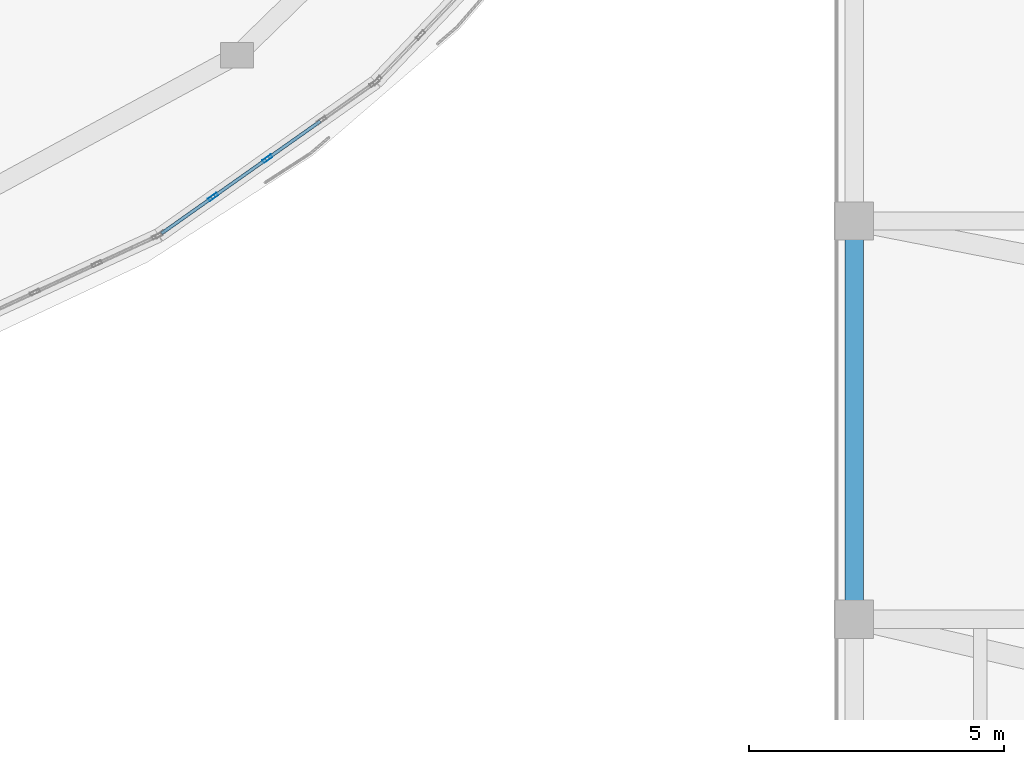
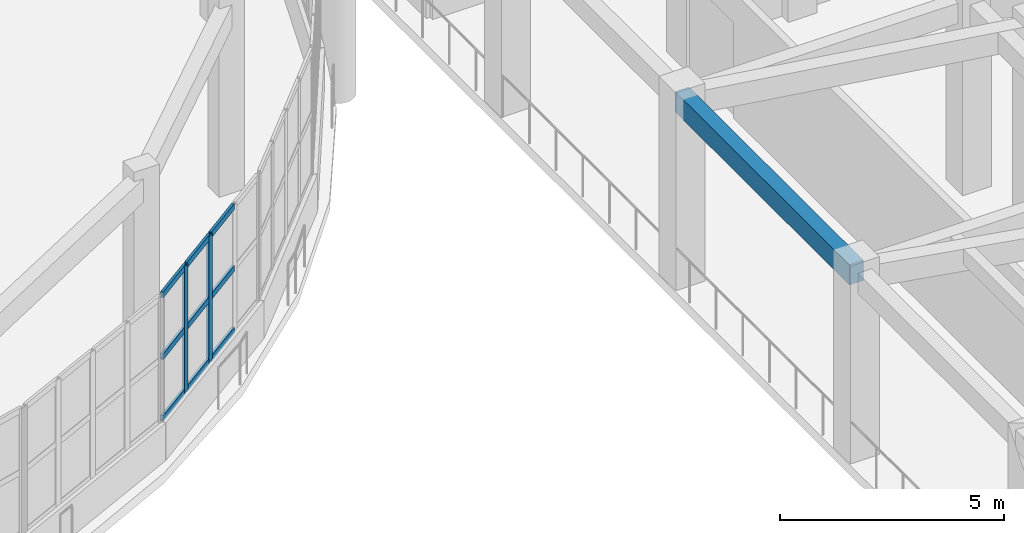
# One storey, part 50 of 96: 11 members, 1 beam, 1 element without a shape of its own.
"""IFC4 building model written with IfcOpenShell, lengths in metres."""

import ifcopenshell
import ifcopenshell.guid

model = None  # the IFC model being written
_history = None  # IfcOwnerHistory: only IFC2X3 demands one
_inside = {}  # id of a spatial element -> (the spatial element, [elements in it])
_under = {}  # id of a project, library or spatial element -> (it, [spatial elements below it])
_declared = {}  # id of a project -> (the project, [libraries it declares])
_typed = {}  # id of a type object -> (the type object, [elements of that type])
_made_of = {}  # id of a material, layer set ... -> (it, [elements and type objects made of it])


def new_model(schema):
    """Start an empty IFC model of exactly this schema.

    Asked for "IFC4X3", IfcOpenShell would pick the latest addendum, in which some entities
    have other attributes; the version numbers below select the first issue.
    IFC2X3 requires an IfcOwnerHistory on every rooted entity: one is made here for all.
    """
    global model, _history
    if schema == "IFC4X3":
        model = ifcopenshell.file(schema_version=(4, 3, 0, 0))
    else:
        model = ifcopenshell.file(schema=schema)
    _inside.clear()
    _under.clear()
    _declared.clear()
    _typed.clear()
    _made_of.clear()
    _history = None
    if model.schema == "IFC2X3":
        org = make("IfcOrganization", Name="unknown")
        user = make(
            "IfcPersonAndOrganization",
            ThePerson=make("IfcPerson", FamilyName="unknown"),
            TheOrganization=org,
        )
        app = make(
            "IfcApplication",
            ApplicationDeveloper=org,
            Version="unknown",
            ApplicationFullName="unknown",
            ApplicationIdentifier="unknown",
        )
        _history = make(
            "IfcOwnerHistory",
            OwningUser=user,
            OwningApplication=app,
            ChangeAction="ADDED",
            CreationDate=0,
        )
    return model


def make(cls, **values):
    """One entity of the class cls with the attributes given. An attribute that is None is left unset."""
    return model.create_entity(
        cls, **{name: value for name, value in values.items() if value is not None}
    )


def rooted(cls, **values):
    """An entity with a GlobalId (a new one), such as an element, a storey or a relation."""
    return make(cls, GlobalId=ifcopenshell.guid.new(), OwnerHistory=_history, **values)


def si_unit(unit_type, name, prefix=None):
    """IfcSIUnit, for example si_unit("LENGTHUNIT", "METRE", prefix="MILLI")."""
    return make("IfcSIUnit", UnitType=unit_type, Prefix=prefix, Name=name)


def assignment(units):
    """IfcUnitAssignment: the units of a project."""
    return None if units is None else make("IfcUnitAssignment", Units=units)


def point(xyz):
    """IfcCartesianPoint."""
    return None if xyz is None else make("IfcCartesianPoint", Coordinates=xyz)


def direction(xyz):
    """IfcDirection."""
    return None if xyz is None else make("IfcDirection", DirectionRatios=xyz)


def frame(location, z_axis=None, x_axis=None):
    """IfcAxis2Placement3D, a coordinate frame: its origin and axes. An axis left out is left unset."""
    return make(
        "IfcAxis2Placement3D",
        Location=point(location),
        Axis=direction(z_axis),
        RefDirection=direction(x_axis),
    )


def frame_2d(location, x_axis=None):
    """IfcAxis2Placement2D, a coordinate frame in the plane: its origin and x axis."""
    return make(
        "IfcAxis2Placement2D", Location=point(location), RefDirection=direction(x_axis)
    )


def origin():
    """The frame at (0, 0, 0) with its axes left unset."""
    return frame((0.0, 0.0, 0.0))


def origin_2d():
    """The frame at (0, 0) in the plane with its x axis left unset."""
    return frame_2d((0.0, 0.0))


def place(relative_to, where):
    """IfcLocalPlacement: puts the frame where relative to a parent placement (None: the world)."""
    return make(
        "IfcLocalPlacement", PlacementRelTo=relative_to, RelativePlacement=where
    )


def context(
    kind, dimensions, precision=None, world=None, true_north=None, identifier=None
):
    """IfcGeometricRepresentationContext, for example the 3D "Model" context."""
    return make(
        "IfcGeometricRepresentationContext",
        ContextIdentifier=identifier,
        ContextType=kind,
        CoordinateSpaceDimension=dimensions,
        Precision=precision,
        WorldCoordinateSystem=world,
        TrueNorth=true_north,
    )


def subcontext(parent, identifier, kind, view, scale=None):
    """IfcGeometricRepresentationSubContext, for example "Body" below "Model"."""
    return make(
        "IfcGeometricRepresentationSubContext",
        ContextIdentifier=identifier,
        ContextType=kind,
        ParentContext=parent,
        TargetScale=scale,
        TargetView=view,
    )


def project(units=None, contexts=None):
    """IfcProject with its units and contexts."""
    return rooted(
        "IfcProject",
        Name="project",
        RepresentationContexts=contexts,
        UnitsInContext=assignment(units),
    )


def spatial(cls, under=None, at=None, **own):
    """A site, building, storey or space (cls), placed at a placement, below another one or the project."""
    s = rooted(cls, ObjectPlacement=at, **own)
    if under is not None:
        _under.setdefault(under.id(), (under, []))[1].append(s)
    return s


def profile(cls, at=None, kind="AREA", **sizes):
    """A parametric profile (cls). Its sizes go by their IFC names, for example OverallWidth=200.0."""
    return make(cls, ProfileType=kind, Position=at, **sizes)


def rectangle(**sizes):
    """IfcRectangleProfileDef."""
    return profile("IfcRectangleProfileDef", **sizes)


def hollow_rectangle(**sizes):
    """IfcRectangleHollowProfileDef."""
    return profile("IfcRectangleHollowProfileDef", **sizes)


def extrude(swept, where, along, depth):
    """IfcExtrudedAreaSolid: the profile swept, set in the frame where, extruded along a direction by depth."""
    return make(
        "IfcExtrudedAreaSolid",
        SweptArea=swept,
        Position=where,
        ExtrudedDirection=direction(along),
        Depth=depth,
    )


def shape(context_of_items, identifier, shape_type, items):
    """IfcShapeRepresentation: the items that make up one representation, for example the "Body"."""
    return make(
        "IfcShapeRepresentation",
        ContextOfItems=context_of_items,
        RepresentationIdentifier=identifier,
        RepresentationType=shape_type,
        Items=items,
    )


def material(Name=None, Category=None):
    """IfcMaterial."""
    return make("IfcMaterial", Name=Name, Category=Category)


def layer(
    of_material, thickness, ventilated=None, Name=None, Category=None, Priority=None
):
    """IfcMaterialLayer: one layer of a wall or slab, of a material (None: an air gap)."""
    return make(
        "IfcMaterialLayer",
        Material=of_material,
        LayerThickness=thickness,
        IsVentilated=ventilated,
        Name=Name,
        Category=Category,
        Priority=Priority,
    )


def layer_set(layers, Name=None):
    """IfcMaterialLayerSet."""
    return make("IfcMaterialLayerSet", MaterialLayers=layers, LayerSetName=Name)


def material_profile(
    of_material, cross_section, Name=None, Category=None, Priority=None
):
    """IfcMaterialProfile: a cross section and its material."""
    return make(
        "IfcMaterialProfile",
        Name=Name,
        Material=of_material,
        Profile=cross_section,
        Priority=Priority,
        Category=Category,
    )


def profile_set(profiles, Name=None, composite=None):
    """IfcMaterialProfileSet."""
    return make(
        "IfcMaterialProfileSet",
        Name=Name,
        MaterialProfiles=profiles,
        CompositeProfile=composite,
    )


def made_of(thing, what):
    """Note that an element or type object is made of a material, layer set ...; save() writes the relation."""
    if what is not None:
        _made_of.setdefault(what.id(), (what, []))[1].append(thing)
    return thing


def type_object(cls, material=None, **own):
    """A type object (cls), such as IfcWallType, which elements share."""
    return made_of(rooted(cls, **own), material)


def element(
    cls,
    number,
    at=None,
    inside=None,
    cuts=None,
    type_object=None,
    material=None,
    context=None,
    identifier="Body",
    shape_type=None,
    held_by="IfcProductDefinitionShape",
    body=None,
    shapes=None,
    **own,
):
    """One element of the class cls, such as IfcWall. Its Tag is "e" and its number.

    at: its placement. inside: the storey or other place that contains it. cuts: it is an
    opening in that element (IfcRelVoidsElement). A single representation is given by context,
    identifier, shape_type and body (its items); several are given by shapes. held_by: the class
    of the entity that holds the representations. save() writes the other relations.
    """
    e = rooted(cls, Tag="e%d" % number, ObjectPlacement=at, **own)
    if body is not None:
        shapes = [shape(context, identifier, shape_type, body)]
    if shapes is not None:
        e.Representation = make(held_by, Representations=shapes)
    if inside is not None:
        _inside.setdefault(inside.id(), (inside, []))[1].append(e)
    if cuts is not None:
        rooted(
            "IfcRelVoidsElement", RelatingBuildingElement=cuts, RelatedOpeningElement=e
        )
    if type_object is not None:
        _typed.setdefault(type_object.id(), (type_object, []))[1].append(e)
    return made_of(e, material)


def aggregate(whole, parts):
    """IfcRelAggregates: a whole, such as a stair, and the parts it consists of."""
    return rooted("IfcRelAggregates", RelatingObject=whole, RelatedObjects=parts)


def save(model, path):
    """Write the relations noted so far, then the file.

    IfcRelAggregates (storeys below a building ...), IfcRelContainedInSpatialStructure (elements
    in a storey), IfcRelDefinesByType, IfcRelAssociatesMaterial and IfcRelDeclares: one each for
    every whole, place, type object, material and project.
    """
    for whole, parts in _under.values():
        aggregate(whole, parts)
    for where, things in _inside.values():
        rooted(
            "IfcRelContainedInSpatialStructure",
            RelatedElements=things,
            RelatingStructure=where,
        )
    for kind, things in _typed.values():
        rooted("IfcRelDefinesByType", RelatedObjects=things, RelatingType=kind)
    for what, things in _made_of.values():
        rooted("IfcRelAssociatesMaterial", RelatedObjects=things, RelatingMaterial=what)
    for by, libraries in _declared.values():
        rooted("IfcRelDeclares", RelatingContext=by, RelatedDefinitions=libraries)
    model.write(path)


model = new_model("IFC4")

# Units and contexts
model_context = context("Model", 3, precision=1e-05, world=origin(), true_north=direction((0.0, 1.0)))
body_context = subcontext(model_context, "Body", "Model", "MODEL_VIEW")
ifc_project = project(units=[si_unit("LENGTHUNIT", "METRE"), si_unit("AREAUNIT", "SQUARE_METRE"), si_unit("VOLUMEUNIT", "CUBIC_METRE"), si_unit("PLANEANGLEUNIT", "RADIAN"), si_unit("MASSUNIT", "GRAM", prefix="KILO")], contexts=[model_context])

# Site, building, storey
site_placement = place(None, origin())
site = spatial("IfcSite", under=ifc_project, at=site_placement, CompositionType="ELEMENT")
building_placement = place(site_placement, origin())
building = spatial("IfcBuilding", under=site, at=building_placement, Name="Pelvatis Terrace Science Centre", CompositionType="ELEMENT")
storey_placement = place(building_placement, origin())
storey = spatial("IfcBuildingStorey", under=building, at=storey_placement, Name="L00", CompositionType="ELEMENT", Elevation=0.0)

# Beam
ifc_material_1 = material(Name="Concrete C35/45", Category="concrete")
ifc_material_profile_1 = material_profile(ifc_material_1, rectangle(XDim=0.360107421875, YDim=0.550048828125, at=origin_2d()), Name="RC-BM 360x550")
ifc_profile_set_1 = profile_set([ifc_material_profile_1], Name="Concrete C35/45")
beam_type = type_object("IfcBeamType", Name="BM-RC-360x550", PredefinedType="BEAM", material=ifc_profile_set_1)
beam_placement = place(storey_placement, frame((140.800048828125, 54.60009765625, 4.864990234375), z_axis=(0.0, 1.0, 0.0), x_axis=(-1.0, 0.0, 0.0)))
element("IfcBeam", 1, at=beam_placement, inside=storey, type_object=beam_type, Name="Beam BM-L00-2480", PredefinedType="BEAM", context=body_context, shape_type="SweptSolid", body=[
    extrude(rectangle(XDim=0.360107421875, YDim=0.550048828125, at=origin_2d()), origin(), (0.0, 0.0, 1.0), 7.7998046875),
])

# Curtain wall, members
ifc_material_2 = material(Name="Bronze-anodised aluminium and laminated glass", Category="aluminium")
ifc_layer = layer(ifc_material_2, 0.199951171875)
ifc_layer_set = layer_set([ifc_layer], Name="Bronze-anodised aluminium and laminated glass")
curtain_wall_type = type_object("IfcCurtainWallType", Name="CW-RIBBON-B", PredefinedType="NOTDEFINED", material=ifc_layer_set)
curtain_wall_placement = place(storey_placement, origin())
curtain_wall = element("IfcCurtainWall", 2, at=curtain_wall_placement, inside=storey, type_object=curtain_wall_type, Name="Ribbon curtain wall CW-122 (L00)", PredefinedType="NOTDEFINED")
ifc_material_3 = material(Name="Bronze-anodised aluminium 6063-T6", Category="aluminium")
ifc_material_profile_2 = material_profile(ifc_material_3, hollow_rectangle(XDim=0.06494140625, YDim=0.199951171875, WallThickness=0.00439453125, at=origin_2d()), Name="ALU-MUL 65x200")
ifc_profile_set_2 = profile_set([ifc_material_profile_2], Name="Bronze-anodised aluminium 6063-T6")
member_type_1 = type_object("IfcMemberType", Name="CWM-65x200", PredefinedType="MULLION", material=ifc_profile_set_2)
member_1_placement = place(storey_placement, frame((128.246337890625, 62.870849609375, 1.02001953125), z_axis=(0.0, 0.0, 1.0), x_axis=(-0.577064835369, 0.816698338299, 0.0)))
member_1 = element("IfcMember", 3, at=member_1_placement, type_object=member_type_1, Name="CW-122 mullion 2", PredefinedType="MULLION", context=body_context, shape_type="SweptSolid", body=[
    extrude(hollow_rectangle(XDim=0.06494140625, YDim=0.199951171875, WallThickness=0.00439453125, at=origin_2d()), origin(), (0.0, 0.0, 1.0), 3.43994140625),
])
member_2_placement = place(storey_placement, frame((129.30908203125, 63.62158203125, 1.02001953125), z_axis=(0.0, 0.0, 1.0), x_axis=(-0.577064835369, 0.816698338299, 0.0)))
member_2 = element("IfcMember", 4, at=member_2_placement, type_object=member_type_1, Name="CW-122 mullion 3", PredefinedType="MULLION", context=body_context, shape_type="SweptSolid", body=[
    extrude(hollow_rectangle(XDim=0.06494140625, YDim=0.199951171875, WallThickness=0.00439453125, at=origin_2d()), origin(), (0.0, 0.0, 1.0), 3.43994140625),
])
ifc_material_4 = material(Name="Bronze-anodised aluminium 6063-T6", Category="aluminium")
ifc_material_profile_3 = material_profile(ifc_material_4, hollow_rectangle(XDim=0.06494140625, YDim=0.159912109375, WallThickness=0.00390625, at=origin_2d()), Name="ALU-TRN 65x160")
ifc_profile_set_3 = profile_set([ifc_material_profile_3], Name="Bronze-anodised aluminium 6063-T6")
member_type_2 = type_object("IfcMemberType", Name="CWT-65x160", PredefinedType="USERDEFINED", material=ifc_profile_set_3)
member_3_placement = place(storey_placement, frame((127.23681640625, 62.157470703125, 1.052490234375), z_axis=(0.816669805215, 0.577105215061, 0.0), x_axis=(-0.577105215061, 0.816669805215, 0.0)))
member_3 = element("IfcMember", 5, at=member_3_placement, type_object=member_type_2, Name="CW-122 transom 1.1", ObjectType="TRANSOM", PredefinedType="USERDEFINED", context=body_context, shape_type="SweptSolid", body=[
    extrude(hollow_rectangle(XDim=0.06494140625, YDim=0.159912109375, WallThickness=0.00390625, at=origin_2d()), origin(), (0.0, 0.0, 1.0), 1.20361328125),
])
member_4_placement = place(storey_placement, frame((127.23681640625, 62.157470703125, 2.739990234375), z_axis=(0.816669805215, 0.577105215061, 0.0), x_axis=(-0.577105215061, 0.816669805215, 0.0)))
member_4 = element("IfcMember", 6, at=member_4_placement, type_object=member_type_2, Name="CW-122 transom 1.2", ObjectType="TRANSOM", PredefinedType="USERDEFINED", context=body_context, shape_type="SweptSolid", body=[
    extrude(hollow_rectangle(XDim=0.06494140625, YDim=0.159912109375, WallThickness=0.00390625, at=origin_2d()), origin(), (0.0, 0.0, 1.0), 1.20361328125),
])
member_5_placement = place(storey_placement, frame((127.23681640625, 62.157470703125, 4.427490234375), z_axis=(0.816669805215, 0.577105215061, 0.0), x_axis=(-0.577105215061, 0.816669805215, 0.0)))
member_5 = element("IfcMember", 7, at=member_5_placement, type_object=member_type_2, Name="CW-122 transom 1.3", ObjectType="TRANSOM", PredefinedType="USERDEFINED", context=body_context, shape_type="SweptSolid", body=[
    extrude(hollow_rectangle(XDim=0.06494140625, YDim=0.159912109375, WallThickness=0.00390625, at=origin_2d()), origin(), (0.0, 0.0, 1.0), 1.20361328125),
])
member_6_placement = place(storey_placement, frame((128.27294921875, 62.8896484375, 1.052490234375), z_axis=(0.816672186634, 0.577101845065, 0.0), x_axis=(-0.577101845065, 0.816672186634, 0.0)))
member_6 = element("IfcMember", 8, at=member_6_placement, type_object=member_type_2, Name="CW-122 transom 2.1", ObjectType="TRANSOM", PredefinedType="USERDEFINED", context=body_context, shape_type="SweptSolid", body=[
    extrude(hollow_rectangle(XDim=0.06494140625, YDim=0.159912109375, WallThickness=0.00390625, at=origin_2d()), origin(), (0.0, 0.0, 1.0), 1.236083984375),
])
member_7_placement = place(storey_placement, frame((128.27294921875, 62.8896484375, 2.739990234375), z_axis=(0.816672186634, 0.577101845065, 0.0), x_axis=(-0.577101845065, 0.816672186634, 0.0)))
member_7 = element("IfcMember", 9, at=member_7_placement, type_object=member_type_2, Name="CW-122 transom 2.2", ObjectType="TRANSOM", PredefinedType="USERDEFINED", context=body_context, shape_type="SweptSolid", body=[
    extrude(hollow_rectangle(XDim=0.06494140625, YDim=0.159912109375, WallThickness=0.00390625, at=origin_2d()), origin(), (0.0, 0.0, 1.0), 1.236083984375),
])
member_8_placement = place(storey_placement, frame((128.27294921875, 62.8896484375, 4.427490234375), z_axis=(0.816672186634, 0.577101845065, 0.0), x_axis=(-0.577101845065, 0.816672186634, 0.0)))
member_8 = element("IfcMember", 10, at=member_8_placement, type_object=member_type_2, Name="CW-122 transom 2.3", ObjectType="TRANSOM", PredefinedType="USERDEFINED", context=body_context, shape_type="SweptSolid", body=[
    extrude(hollow_rectangle(XDim=0.06494140625, YDim=0.159912109375, WallThickness=0.00390625, at=origin_2d()), origin(), (0.0, 0.0, 1.0), 1.236083984375),
])
member_9_placement = place(storey_placement, frame((129.33544921875, 63.640380859375, 1.052490234375), z_axis=(0.816737948195, 0.577008772878, 0.0), x_axis=(-0.577008772878, 0.816737948195, 0.0)))
member_9 = element("IfcMember", 11, at=member_9_placement, type_object=member_type_2, Name="CW-122 transom 3.1", ObjectType="TRANSOM", PredefinedType="USERDEFINED", context=body_context, shape_type="SweptSolid", body=[
    extrude(hollow_rectangle(XDim=0.06494140625, YDim=0.159912109375, WallThickness=0.00390625, at=origin_2d()), origin(), (0.0, 0.0, 1.0), 1.236328125),
])
member_10_placement = place(storey_placement, frame((129.33544921875, 63.640380859375, 2.739990234375), z_axis=(0.816737948195, 0.577008772878, 0.0), x_axis=(-0.577008772878, 0.816737948195, 0.0)))
member_10 = element("IfcMember", 12, at=member_10_placement, type_object=member_type_2, Name="CW-122 transom 3.2", ObjectType="TRANSOM", PredefinedType="USERDEFINED", context=body_context, shape_type="SweptSolid", body=[
    extrude(hollow_rectangle(XDim=0.06494140625, YDim=0.159912109375, WallThickness=0.00390625, at=origin_2d()), origin(), (0.0, 0.0, 1.0), 1.236328125),
])
member_11_placement = place(storey_placement, frame((129.33544921875, 63.640380859375, 4.427490234375), z_axis=(0.816737948195, 0.577008772878, 0.0), x_axis=(-0.577008772878, 0.816737948195, 0.0)))
member_11 = element("IfcMember", 13, at=member_11_placement, type_object=member_type_2, Name="CW-122 transom 3.3", ObjectType="TRANSOM", PredefinedType="USERDEFINED", context=body_context, shape_type="SweptSolid", body=[
    extrude(hollow_rectangle(XDim=0.06494140625, YDim=0.159912109375, WallThickness=0.00390625, at=origin_2d()), origin(), (0.0, 0.0, 1.0), 1.236328125),
])
aggregate(curtain_wall, [member_1, member_2, member_3, member_4, member_5, member_6, member_7, member_8, member_9, member_10, member_11])

save(model, "model.ifc")
